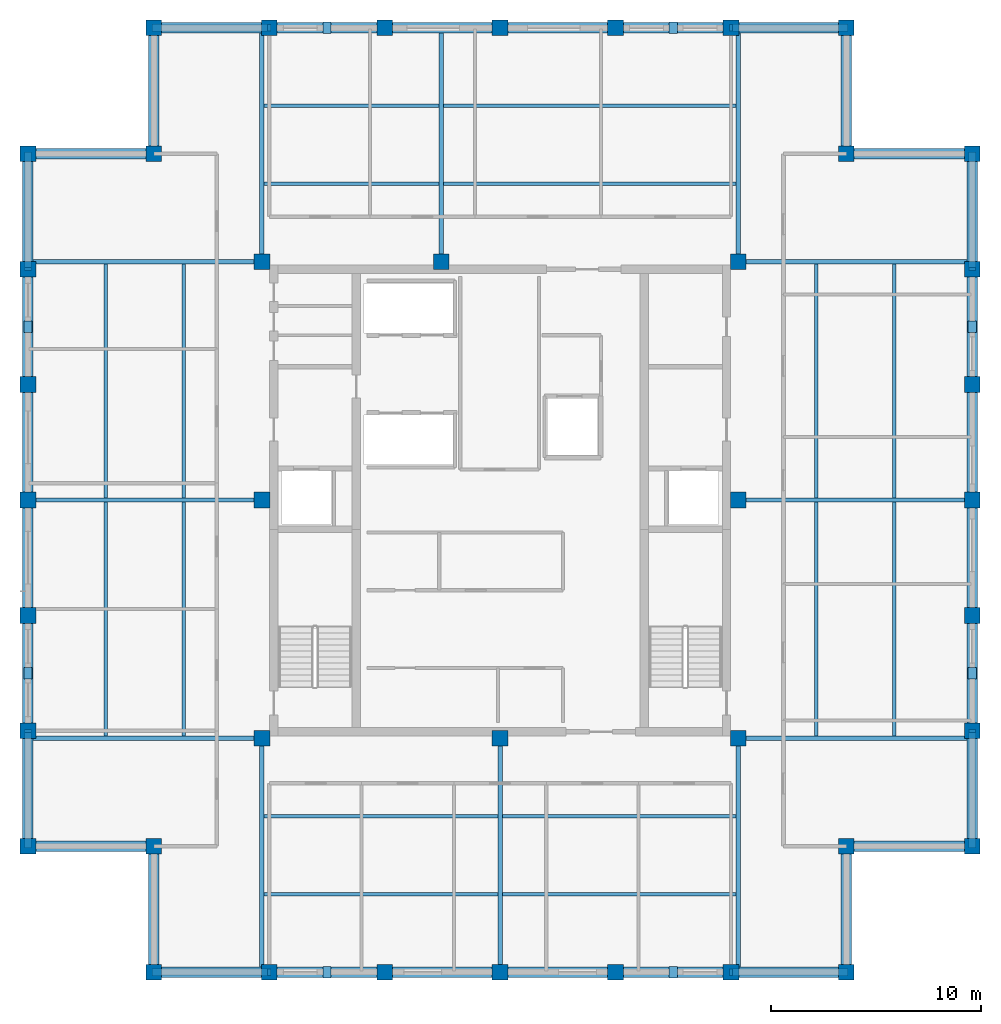
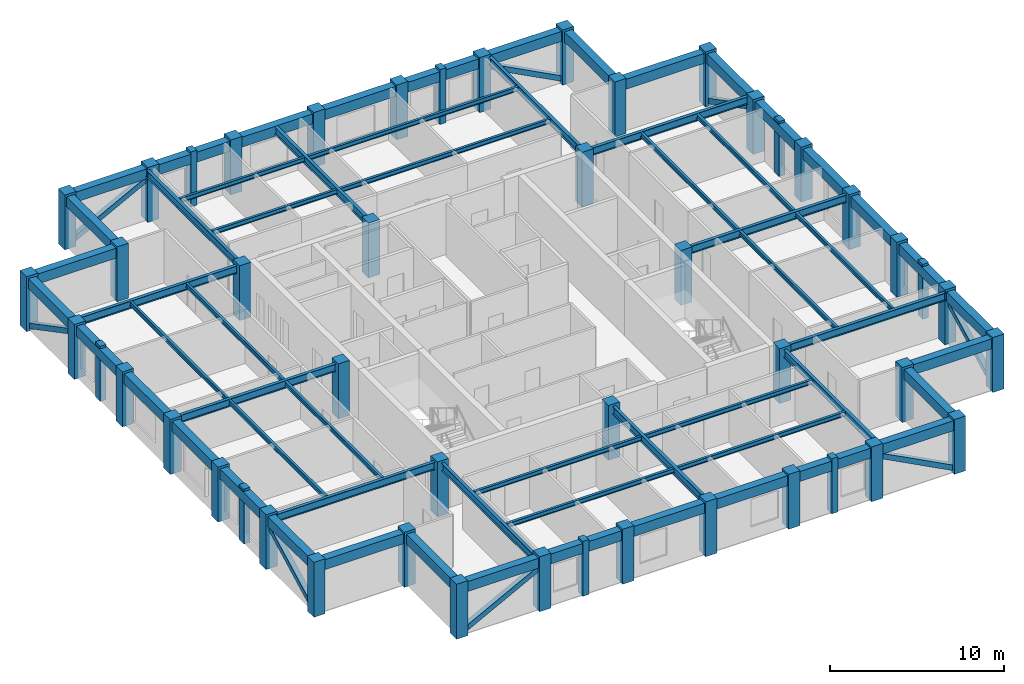
# One storey, part 1 of 8: 60 beams, 40 columns, 16 members.
"""IFC4 building model written with IfcOpenShell, lengths in metres."""

from ifc_helpers import new_model, si_unit, direction, frame, origin, origin_2d, place, context, subcontext, project, spatial, rectangle, hollow_rectangle, i_section, extrude, material, material_profile, profile_set, type_object, element, save


model = new_model("IFC4")

# Units and contexts
model_context = context("Model", 3, precision=1e-05, world=origin(), true_north=direction((0.0, 1.0)))
body_context = subcontext(model_context, "Body", "Model", "MODEL_VIEW")
ifc_project = project(units=[si_unit("LENGTHUNIT", "METRE"), si_unit("AREAUNIT", "SQUARE_METRE"), si_unit("VOLUMEUNIT", "CUBIC_METRE"), si_unit("PLANEANGLEUNIT", "RADIAN"), si_unit("MASSUNIT", "GRAM", prefix="KILO")], contexts=[model_context])

# Site, building, storey
site_placement = place(None, origin())
site = spatial("IfcSite", under=ifc_project, at=site_placement, CompositionType="ELEMENT")
building_placement = place(site_placement, origin())
building = spatial("IfcBuilding", under=site, at=building_placement, Name="Nhamokura Convention Tower", CompositionType="ELEMENT")
storey_placement = place(building_placement, frame((0.0, 0.0, 292.949951171875)))
storey = spatial("IfcBuildingStorey", under=building, at=storey_placement, Name="L72", CompositionType="ELEMENT", Elevation=292.949951171875)

# Columns
ifc_material_1 = material(Name="Concrete C50/60", Category="concrete")
ifc_material_profile_1 = material_profile(ifc_material_1, rectangle(XDim=0.75, YDim=0.75, at=origin_2d()))
ifc_profile_set_1 = profile_set([ifc_material_profile_1], Name="Concrete C50/60")
column_type = type_object("IfcColumnType", Name="TubeColumn_Z4_750", PredefinedType="COLUMN", material=ifc_profile_set_1)
for number, where, z_axis, x_axis, name in (
    (1, (20.64990234375, 20.64990234375, 0.0), (0.0, 0.0, 1.0), (1.0, 0.0, 0.0), "L72 Core Column CC-SW"),
    (2, (32.0, 20.64990234375, 0.0), (0.0, 0.0, 1.0), (1.0, 0.0, 0.0), "L72 Core Column CC-S"),
    (3, (43.35009765625, 20.64990234375, 0.0), (0.0, 0.0, 1.0), (1.0, 0.0, 0.0), "L72 Core Column CC-SE"),
    (4, (43.35009765625, 32.0, 0.0), (0.0, 0.0, 1.0), (1.0, 0.0, 0.0), "L72 Core Column CC-E"),
    (5, (43.35009765625, 43.35009765625, 0.0), (0.0, 0.0, 1.0), (1.0, 0.0, 0.0), "L72 Core Column CC-NE"),
    (6, (29.199951171875, 43.35009765625, 0.0), (0.0, 0.0, 1.0), (1.0, 0.0, 0.0), "L72 Core Column CC-N"),
    (7, (20.64990234375, 43.35009765625, 0.0), (0.0, 0.0, 1.0), (1.0, 0.0, 0.0), "L72 Core Column CC-NW"),
    (8, (20.64990234375, 32.0, 0.0), (0.0, 0.0, 1.0), (1.0, 0.0, 0.0), "L72 Core Column CC-W"),
    (9, (15.5, 9.5, 0.0), (0.0, 0.0, 1.0), (1.0, 0.0, 0.0), "L72 Perimeter Tube Column SW1"),
    (10, (15.5, 15.5, 0.0), (0.0, 0.0, 1.0), (1.0, 0.0, 0.0), "L72 Perimeter Tube Column SW0"),
    (11, (9.5, 15.5, 0.0), (0.0, 0.0, 1.0), (1.0, 0.0, 0.0), "L72 Perimeter Tube Column SW2"),
    (12, (48.5, 9.5, 0.0), (0.0, 0.0, 1.0), (1.0, 0.0, 0.0), "L72 Perimeter Tube Column SE1"),
    (13, (48.5, 15.5, 0.0), (0.0, 0.0, 1.0), (1.0, 0.0, 0.0), "L72 Perimeter Tube Column SE0"),
    (14, (54.5, 15.5, 0.0), (0.0, 0.0, 1.0), (1.0, 0.0, 0.0), "L72 Perimeter Tube Column SE2"),
    (15, (54.5, 48.5, 0.0), (0.0, 0.0, 1.0), (1.0, 0.0, 0.0), "L72 Perimeter Tube Column NE1"),
    (16, (48.5, 48.5, 0.0), (0.0, 0.0, 1.0), (1.0, 0.0, 0.0), "L72 Perimeter Tube Column NE0"),
    (17, (48.5, 54.5, 0.0), (0.0, 0.0, 1.0), (1.0, 0.0, 0.0), "L72 Perimeter Tube Column NE2"),
    (18, (15.5, 54.5, 0.0), (0.0, 0.0, 1.0), (1.0, 0.0, 0.0), "L72 Perimeter Tube Column NW1"),
    (19, (15.5, 48.5, 0.0), (0.0, 0.0, 1.0), (1.0, 0.0, 0.0), "L72 Perimeter Tube Column NW0"),
    (20, (9.5, 48.5, 0.0), (0.0, 0.0, 1.0), (1.0, 0.0, 0.0), "L72 Perimeter Tube Column NW2"),
    (21, (21.0, 9.5, 0.0), (0.0, 0.0, 1.0), (1.0, 0.0, 0.0), "L72 Perimeter Tube Column S1"),
    (22, (21.0, 54.5, 0.0), (0.0, 0.0, 1.0), (1.0, 0.0, 0.0), "L72 Perimeter Tube Column N1"),
    (23, (9.5, 21.0, 0.0), (0.0, 0.0, 1.0), (1.0, 0.0, 0.0), "L72 Perimeter Tube Column W1"),
    (24, (54.5, 21.0, 0.0), (0.0, 0.0, 1.0), (1.0, 0.0, 0.0), "L72 Perimeter Tube Column E1"),
    (25, (26.5, 9.5, 0.0), (0.0, 0.0, 1.0), (1.0, 0.0, 0.0), "L72 Perimeter Tube Column S2"),
    (26, (26.5, 54.5, 0.0), (0.0, 0.0, 1.0), (1.0, 0.0, 0.0), "L72 Perimeter Tube Column N2"),
    (27, (9.5, 26.5, 0.0), (0.0, 0.0, 1.0), (1.0, 0.0, 0.0), "L72 Perimeter Tube Column W2"),
    (28, (54.5, 26.5, 0.0), (0.0, 0.0, 1.0), (1.0, 0.0, 0.0), "L72 Perimeter Tube Column E2"),
    (29, (32.0, 9.5, 0.0), (0.0, 0.0, 1.0), (1.0, 0.0, 0.0), "L72 Perimeter Tube Column S3"),
    (30, (32.0, 54.5, 0.0), (0.0, 0.0, 1.0), (1.0, 0.0, 0.0), "L72 Perimeter Tube Column N3"),
    (31, (9.5, 32.0, 0.0), (0.0, 0.0, 1.0), (1.0, 0.0, 0.0), "L72 Perimeter Tube Column W3"),
    (32, (54.5, 32.0, 0.0), (0.0, 0.0, 1.0), (1.0, 0.0, 0.0), "L72 Perimeter Tube Column E3"),
    (33, (37.5, 9.5, 0.0), (0.0, 0.0, 1.0), (1.0, 0.0, 0.0), "L72 Perimeter Tube Column S4"),
    (34, (37.5, 54.5, 0.0), (0.0, 0.0, 1.0), (1.0, 0.0, 0.0), "L72 Perimeter Tube Column N4"),
    (35, (9.5, 37.5, 0.0), (0.0, 0.0, 1.0), (1.0, 0.0, 0.0), "L72 Perimeter Tube Column W4"),
    (36, (54.5, 37.5, 0.0), (0.0, 0.0, 1.0), (1.0, 0.0, 0.0), "L72 Perimeter Tube Column E4"),
    (37, (43.0, 9.5, 0.0), (0.0, 0.0, 1.0), (1.0, 0.0, 0.0), "L72 Perimeter Tube Column S5"),
    (38, (43.0, 54.5, 0.0), (0.0, 0.0, 1.0), (1.0, 0.0, 0.0), "L72 Perimeter Tube Column N5"),
    (39, (9.5, 43.0, 0.0), (0.0, 0.0, 1.0), (1.0, 0.0, 0.0), "L72 Perimeter Tube Column W5"),
    (40, (54.5, 43.0, 0.0), (0.0, 0.0, 1.0), (1.0, 0.0, 0.0), "L72 Perimeter Tube Column E5"),
):
    element("IfcColumn", number, at=place(storey_placement, frame(where, z_axis=z_axis, x_axis=x_axis)), inside=storey, type_object=column_type, Name=name, PredefinedType="COLUMN", context=body_context, shape_type="SweptSolid", body=[
        extrude(rectangle(XDim=0.75, YDim=0.75, at=origin_2d()), origin(), (0.0, 0.0, 1.0), 3.85009765625),
    ])

# Members
ifc_material_2 = material(Name="Bronze-pigmented precast concrete C45/55", Category="concrete")
ifc_material_profile_2 = material_profile(ifc_material_2, rectangle(XDim=0.39990234375, YDim=0.550048828125, at=origin_2d()))
ifc_profile_set_2 = profile_set([ifc_material_profile_2], Name="Bronze-pigmented precast concrete C45/55")
member_type_1 = type_object("IfcMemberType", Name="BronzePilaster_550", PredefinedType="USERDEFINED", material=ifc_profile_set_2)
for number, where, z_axis, x_axis, name in (
    (41, (23.75, 9.5, 0.0), (0.0, 0.0, 1.0), (1.0, 0.0, 0.0), "L72 Engaged Frame Pilaster SOUTH 1"),
    (42, (40.25, 9.5, 0.0), (0.0, 0.0, 1.0), (1.0, 0.0, 0.0), "L72 Engaged Frame Pilaster SOUTH 4"),
    (43, (23.75, 54.5, 0.0), (0.0, 0.0, 1.0), (1.0, 0.0, 0.0), "L72 Engaged Frame Pilaster NORTH 1"),
    (44, (40.25, 54.5, 0.0), (0.0, 0.0, 1.0), (1.0, 0.0, 0.0), "L72 Engaged Frame Pilaster NORTH 4"),
    (45, (9.5, 23.75, 0.0), (0.0, 0.0, 1.0), (1.0, 0.0, 0.0), "L72 Engaged Frame Pilaster WEST 1"),
    (46, (9.5, 40.25, 0.0), (0.0, 0.0, 1.0), (1.0, 0.0, 0.0), "L72 Engaged Frame Pilaster WEST 4"),
    (47, (54.5, 23.75, 0.0), (0.0, 0.0, 1.0), (1.0, 0.0, 0.0), "L72 Engaged Frame Pilaster EAST 1"),
    (48, (54.5, 40.25, 0.0), (0.0, 0.0, 1.0), (1.0, 0.0, 0.0), "L72 Engaged Frame Pilaster EAST 4"),
):
    element("IfcMember", number, at=place(storey_placement, frame(where, z_axis=z_axis, x_axis=x_axis)), inside=storey, type_object=member_type_1, Name=name, ObjectType="PILASTER_TRIM", PredefinedType="USERDEFINED", context=body_context, shape_type="SweptSolid", body=[
        extrude(rectangle(XDim=0.39990234375, YDim=0.550048828125, at=origin_2d()), origin(), (0.0, 0.0, 1.0), 3.85009765625),
    ])

# Beams
ifc_material_3 = material(Name="Steel ASTM A992 Gr 50", Category="steel")
ifc_material_profile_3 = material_profile(ifc_material_3, i_section(OverallWidth=0.166015625, OverallDepth=0.31298828125, WebThickness=0.006591796875, FlangeThickness=0.01123046875, at=origin_2d()))
ifc_profile_set_3 = profile_set([ifc_material_profile_3], Name="Steel ASTM A992 Gr 50")
beam_type_1 = type_object("IfcBeamType", Name="FloorJoist_W310X45", PredefinedType="JOIST", material=ifc_profile_set_3)
for number, where, z_axis, x_axis, name in (
    (49, (20.75244140625, 13.216796875, 3.528564453125), (1.0, 0.0, 0.0), (0.0, 1.0, 0.0), "L72 Composite Floor Joist S1A"),
    (50, (32.1025390625, 13.216796875, 3.528564453125), (1.0, 0.0, 0.0), (0.0, 1.0, 0.0), "L72 Composite Floor Joist S1B"),
    (51, (20.75244140625, 16.933349609375, 3.528564453125), (1.0, 0.0, 0.0), (0.0, 1.0, 0.0), "L72 Composite Floor Joist S2A"),
    (52, (32.1025390625, 16.933349609375, 3.528564453125), (1.0, 0.0, 0.0), (0.0, 1.0, 0.0), "L72 Composite Floor Joist S2B"),
):
    element("IfcBeam", number, at=place(storey_placement, frame(where, z_axis=z_axis, x_axis=x_axis)), inside=storey, type_object=beam_type_1, Name=name, PredefinedType="JOIST", context=body_context, shape_type="SweptSolid", body=[
        extrude(i_section(OverallWidth=0.166015625, OverallDepth=0.31298828125, WebThickness=0.006591796875, FlangeThickness=0.01123046875, at=origin_2d()), origin(), (0.0, 0.0, 1.0), 11.14501953125),
    ])
beam_1_placement = place(storey_placement, frame((20.75244140625, 47.066650390625, 3.528564453125), z_axis=(1.0, 0.0, 0.0), x_axis=(0.0, 1.0, 0.0)))
element("IfcBeam", 53, at=beam_1_placement, inside=storey, type_object=beam_type_1, Name="L72 Composite Floor Joist N1A", PredefinedType="JOIST", context=body_context, shape_type="SweptSolid", body=[
    extrude(i_section(OverallWidth=0.166015625, OverallDepth=0.31298828125, WebThickness=0.006591796875, FlangeThickness=0.01123046875, at=origin_2d()), origin(), (0.0, 0.0, 1.0), 8.344970703125),
])
beam_2_placement = place(storey_placement, frame((29.302490234375, 47.066650390625, 3.528564453125), z_axis=(1.0, 0.0, 0.0), x_axis=(0.0, 1.0, 0.0)))
element("IfcBeam", 54, at=beam_2_placement, inside=storey, type_object=beam_type_1, Name="L72 Composite Floor Joist N1B", PredefinedType="JOIST", context=body_context, shape_type="SweptSolid", body=[
    extrude(i_section(OverallWidth=0.166015625, OverallDepth=0.31298828125, WebThickness=0.006591796875, FlangeThickness=0.01123046875, at=origin_2d()), origin(), (0.0, 0.0, 1.0), 13.945068359375),
])
beam_3_placement = place(storey_placement, frame((20.75244140625, 50.783203125, 3.528564453125), z_axis=(1.0, 0.0, 0.0), x_axis=(0.0, 1.0, 0.0)))
element("IfcBeam", 55, at=beam_3_placement, inside=storey, type_object=beam_type_1, Name="L72 Composite Floor Joist N2A", PredefinedType="JOIST", context=body_context, shape_type="SweptSolid", body=[
    extrude(i_section(OverallWidth=0.166015625, OverallDepth=0.31298828125, WebThickness=0.006591796875, FlangeThickness=0.01123046875, at=origin_2d()), origin(), (0.0, 0.0, 1.0), 8.344970703125),
])
beam_4_placement = place(storey_placement, frame((29.302490234375, 50.783203125, 3.528564453125), z_axis=(1.0, 0.0, 0.0), x_axis=(0.0, 1.0, 0.0)))
element("IfcBeam", 56, at=beam_4_placement, inside=storey, type_object=beam_type_1, Name="L72 Composite Floor Joist N2B", PredefinedType="JOIST", context=body_context, shape_type="SweptSolid", body=[
    extrude(i_section(OverallWidth=0.166015625, OverallDepth=0.31298828125, WebThickness=0.006591796875, FlangeThickness=0.01123046875, at=origin_2d()), origin(), (0.0, 0.0, 1.0), 13.945068359375),
])
for number, where, z_axis, x_axis, name in (
    (57, (13.216796875, 20.75244140625, 3.528564453125), (0.0, 1.0, 0.0), (-1.0, 0.0, 0.0), "L72 Composite Floor Joist W1A"),
    (58, (13.216796875, 32.1025390625, 3.528564453125), (0.0, 1.0, 0.0), (-1.0, 0.0, 0.0), "L72 Composite Floor Joist W1B"),
    (59, (16.933349609375, 20.75244140625, 3.528564453125), (0.0, 1.0, 0.0), (-1.0, 0.0, 0.0), "L72 Composite Floor Joist W2A"),
    (60, (16.933349609375, 32.1025390625, 3.528564453125), (0.0, 1.0, 0.0), (-1.0, 0.0, 0.0), "L72 Composite Floor Joist W2B"),
    (61, (47.066650390625, 20.75244140625, 3.528564453125), (0.0, 1.0, 0.0), (-1.0, 0.0, 0.0), "L72 Composite Floor Joist E1A"),
    (62, (47.066650390625, 32.1025390625, 3.528564453125), (0.0, 1.0, 0.0), (-1.0, 0.0, 0.0), "L72 Composite Floor Joist E1B"),
    (63, (50.783203125, 20.75244140625, 3.528564453125), (0.0, 1.0, 0.0), (-1.0, 0.0, 0.0), "L72 Composite Floor Joist E2A"),
    (64, (50.783203125, 32.1025390625, 3.528564453125), (0.0, 1.0, 0.0), (-1.0, 0.0, 0.0), "L72 Composite Floor Joist E2B"),
):
    element("IfcBeam", number, at=place(storey_placement, frame(where, z_axis=z_axis, x_axis=x_axis)), inside=storey, type_object=beam_type_1, Name=name, PredefinedType="JOIST", context=body_context, shape_type="SweptSolid", body=[
        extrude(i_section(OverallWidth=0.166015625, OverallDepth=0.31298828125, WebThickness=0.006591796875, FlangeThickness=0.01123046875, at=origin_2d()), origin(), (0.0, 0.0, 1.0), 11.14501953125),
    ])
ifc_material_4 = material(Name="Steel ASTM A992 Gr 50", Category="steel")
ifc_material_profile_4 = material_profile(ifc_material_4, i_section(OverallWidth=0.208984375, OverallDepth=0.532958984375, WebThickness=0.01025390625, FlangeThickness=0.015625, at=origin_2d()))
ifc_profile_set_4 = profile_set([ifc_material_profile_4], Name="Steel ASTM A992 Gr 50")
beam_type_2 = type_object("IfcBeamType", Name="PrimaryGirder_W530X92", PredefinedType="BEAM", material=ifc_profile_set_4)
for number, where, z_axis, x_axis, name in (
    (65, (20.64990234375, 9.5, 3.41845703125), (0.0, 1.0, 0.0), (-1.0, 0.0, 0.0), "L72 Primary Floor Girder PG-S1"),
    (66, (32.0, 9.5, 3.41845703125), (0.0, 1.0, 0.0), (-1.0, 0.0, 0.0), "L72 Primary Floor Girder PG-S2"),
    (67, (43.35009765625, 9.5, 3.41845703125), (0.0, 1.0, 0.0), (-1.0, 0.0, 0.0), "L72 Primary Floor Girder PG-S3"),
    (68, (20.64990234375, 43.35009765625, 3.41845703125), (0.0, 1.0, 0.0), (-1.0, 0.0, 0.0), "L72 Primary Floor Girder PG-N1"),
    (69, (29.199951171875, 43.35009765625, 3.41845703125), (0.0, 1.0, 0.0), (-1.0, 0.0, 0.0), "L72 Primary Floor Girder PG-N2"),
    (70, (43.35009765625, 43.35009765625, 3.41845703125), (0.0, 1.0, 0.0), (-1.0, 0.0, 0.0), "L72 Primary Floor Girder PG-N3"),
    (71, (9.5, 20.64990234375, 3.41845703125), (1.0, 0.0, 0.0), (0.0, 1.0, 0.0), "L72 Primary Floor Girder PG-W1"),
    (72, (9.5, 32.0, 3.41845703125), (1.0, 0.0, 0.0), (0.0, 1.0, 0.0), "L72 Primary Floor Girder PG-W2"),
    (73, (9.5, 43.35009765625, 3.41845703125), (1.0, 0.0, 0.0), (0.0, 1.0, 0.0), "L72 Primary Floor Girder PG-W3"),
    (74, (43.35009765625, 20.64990234375, 3.41845703125), (1.0, 0.0, 0.0), (0.0, 1.0, 0.0), "L72 Primary Floor Girder PG-E1"),
    (75, (43.35009765625, 32.0, 3.41845703125), (1.0, 0.0, 0.0), (0.0, 1.0, 0.0), "L72 Primary Floor Girder PG-E2"),
    (76, (43.35009765625, 43.35009765625, 3.41845703125), (1.0, 0.0, 0.0), (0.0, 1.0, 0.0), "L72 Primary Floor Girder PG-E3"),
):
    element("IfcBeam", number, at=place(storey_placement, frame(where, z_axis=z_axis, x_axis=x_axis)), inside=storey, type_object=beam_type_2, Name=name, PredefinedType="BEAM", context=body_context, shape_type="SweptSolid", body=[
        extrude(i_section(OverallWidth=0.208984375, OverallDepth=0.532958984375, WebThickness=0.01025390625, FlangeThickness=0.015625, at=origin_2d()), origin(), (0.0, 0.0, 1.0), 11.14990234375),
    ])

# Members
ifc_material_5 = material(Name="Steel ASTM A572 Gr 50", Category="steel")
ifc_material_profile_5 = material_profile(ifc_material_5, hollow_rectangle(XDim=0.35009765625, YDim=0.35009765625, WallThickness=0.01611328125, at=origin_2d()))
ifc_profile_set_5 = profile_set([ifc_material_profile_5], Name="Steel ASTM A572 Gr 50")
member_type_2 = type_object("IfcMemberType", Name="TubeBrace_HSS350", PredefinedType="BRACE", material=ifc_profile_set_5)
for number, where, z_axis, x_axis, name in (
    (77, (15.5, 9.5, 0.150146484375), (0.885562865764, 0.0, 0.464519548328), (0.0, 1.0, 0.0), "L72 Perimeter Tube Brace SOUTH Bay 0"),
    (78, (48.5, 9.5, 0.150146484375), (-0.885562865764, 0.0, 0.464519548328), (0.0, -1.0, 0.0), "L72 Perimeter Tube Brace SOUTH Bay 5"),
    (79, (15.5, 54.5, 0.150146484375), (0.885562865764, 0.0, 0.464519548328), (0.0, 1.0, 0.0), "L72 Perimeter Tube Brace NORTH Bay 0"),
    (80, (48.5, 54.5, 0.150146484375), (-0.885562865764, 0.0, 0.464519548328), (0.0, -1.0, 0.0), "L72 Perimeter Tube Brace NORTH Bay 5"),
    (81, (9.5, 15.5, 0.150146484375), (0.0, 0.885562865764, 0.464519548328), (-1.0, 0.0, 0.0), "L72 Perimeter Tube Brace WEST Bay 0"),
    (82, (9.5, 48.5, 0.150146484375), (0.0, -0.885562865764, 0.464519548328), (1.0, 0.0, 0.0), "L72 Perimeter Tube Brace WEST Bay 5"),
    (83, (54.5, 15.5, 0.150146484375), (0.0, 0.885562865764, 0.464519548328), (-1.0, 0.0, 0.0), "L72 Perimeter Tube Brace EAST Bay 0"),
    (84, (54.5, 48.5, 0.150146484375), (0.0, -0.885562865764, 0.464519548328), (1.0, 0.0, 0.0), "L72 Perimeter Tube Brace EAST Bay 5"),
):
    element("IfcMember", number, at=place(storey_placement, frame(where, z_axis=z_axis, x_axis=x_axis)), inside=storey, type_object=member_type_2, Name=name, PredefinedType="BRACE", context=body_context, shape_type="SweptSolid", body=[
        extrude(hollow_rectangle(XDim=0.35009765625, YDim=0.35009765625, WallThickness=0.01611328125, at=origin_2d()), origin(), (0.0, 0.0, 1.0), 6.210693359375),
    ])

# Beams
ifc_material_6 = material(Name="Concrete C50/60", Category="concrete")
ifc_material_profile_6 = material_profile(ifc_material_6, rectangle(XDim=0.5, YDim=0.699951171875, at=origin_2d()))
ifc_profile_set_6 = profile_set([ifc_material_profile_6], Name="Concrete C50/60")
beam_type_3 = type_object("IfcBeamType", Name="TubeSpandrel_700", PredefinedType="SPANDREL", material=ifc_profile_set_6)
for number, where, z_axis, x_axis, name in (
    (85, (15.5, 9.5, 3.3349609375), (1.0, 0.0, 0.0), (0.0, 1.0, 0.0), "L72 Perimeter Spandrel SOUTH 1"),
    (86, (21.0, 9.5, 3.3349609375), (1.0, 0.0, 0.0), (0.0, 1.0, 0.0), "L72 Perimeter Spandrel SOUTH 2"),
    (87, (26.5, 9.5, 3.3349609375), (1.0, 0.0, 0.0), (0.0, 1.0, 0.0), "L72 Perimeter Spandrel SOUTH 3"),
    (88, (32.0, 9.5, 3.3349609375), (1.0, 0.0, 0.0), (0.0, 1.0, 0.0), "L72 Perimeter Spandrel SOUTH 4"),
    (89, (37.5, 9.5, 3.3349609375), (1.0, 0.0, 0.0), (0.0, 1.0, 0.0), "L72 Perimeter Spandrel SOUTH 5"),
    (90, (43.0, 9.5, 3.3349609375), (1.0, 0.0, 0.0), (0.0, 1.0, 0.0), "L72 Perimeter Spandrel SOUTH 6"),
    (91, (15.5, 54.5, 3.3349609375), (1.0, 0.0, 0.0), (0.0, 1.0, 0.0), "L72 Perimeter Spandrel NORTH 1"),
    (92, (21.0, 54.5, 3.3349609375), (1.0, 0.0, 0.0), (0.0, 1.0, 0.0), "L72 Perimeter Spandrel NORTH 2"),
    (93, (26.5, 54.5, 3.3349609375), (1.0, 0.0, 0.0), (0.0, 1.0, 0.0), "L72 Perimeter Spandrel NORTH 3"),
    (94, (32.0, 54.5, 3.3349609375), (1.0, 0.0, 0.0), (0.0, 1.0, 0.0), "L72 Perimeter Spandrel NORTH 4"),
    (95, (37.5, 54.5, 3.3349609375), (1.0, 0.0, 0.0), (0.0, 1.0, 0.0), "L72 Perimeter Spandrel NORTH 5"),
    (96, (43.0, 54.5, 3.3349609375), (1.0, 0.0, 0.0), (0.0, 1.0, 0.0), "L72 Perimeter Spandrel NORTH 6"),
    (97, (9.5, 15.5, 3.3349609375), (0.0, 1.0, 0.0), (-1.0, 0.0, 0.0), "L72 Perimeter Spandrel WEST 1"),
    (98, (9.5, 21.0, 3.3349609375), (0.0, 1.0, 0.0), (-1.0, 0.0, 0.0), "L72 Perimeter Spandrel WEST 2"),
    (99, (9.5, 26.5, 3.3349609375), (0.0, 1.0, 0.0), (-1.0, 0.0, 0.0), "L72 Perimeter Spandrel WEST 3"),
    (100, (9.5, 32.0, 3.3349609375), (0.0, 1.0, 0.0), (-1.0, 0.0, 0.0), "L72 Perimeter Spandrel WEST 4"),
    (101, (9.5, 37.5, 3.3349609375), (0.0, 1.0, 0.0), (-1.0, 0.0, 0.0), "L72 Perimeter Spandrel WEST 5"),
    (102, (9.5, 43.0, 3.3349609375), (0.0, 1.0, 0.0), (-1.0, 0.0, 0.0), "L72 Perimeter Spandrel WEST 6"),
    (103, (54.5, 15.5, 3.3349609375), (0.0, 1.0, 0.0), (-1.0, 0.0, 0.0), "L72 Perimeter Spandrel EAST 1"),
    (104, (54.5, 21.0, 3.3349609375), (0.0, 1.0, 0.0), (-1.0, 0.0, 0.0), "L72 Perimeter Spandrel EAST 2"),
    (105, (54.5, 26.5, 3.3349609375), (0.0, 1.0, 0.0), (-1.0, 0.0, 0.0), "L72 Perimeter Spandrel EAST 3"),
    (106, (54.5, 32.0, 3.3349609375), (0.0, 1.0, 0.0), (-1.0, 0.0, 0.0), "L72 Perimeter Spandrel EAST 4"),
    (107, (54.5, 37.5, 3.3349609375), (0.0, 1.0, 0.0), (-1.0, 0.0, 0.0), "L72 Perimeter Spandrel EAST 5"),
    (108, (54.5, 43.0, 3.3349609375), (0.0, 1.0, 0.0), (-1.0, 0.0, 0.0), "L72 Perimeter Spandrel EAST 6"),
):
    element("IfcBeam", number, at=place(storey_placement, frame(where, z_axis=z_axis, x_axis=x_axis)), inside=storey, type_object=beam_type_3, Name=name, PredefinedType="SPANDREL", context=body_context, shape_type="SweptSolid", body=[
        extrude(rectangle(XDim=0.5, YDim=0.699951171875, at=origin_2d()), origin(), (0.0, 0.0, 1.0), 5.5),
    ])
for number, where, z_axis, x_axis, name in (
    (109, (15.5, 9.5, 3.3349609375), (0.0, 1.0, 0.0), (-1.0, 0.0, 0.0), "L72 Notch Spandrel SW1"),
    (110, (15.5, 15.5, 3.3349609375), (-1.0, 0.0, 0.0), (0.0, -1.0, 0.0), "L72 Notch Spandrel SW2"),
    (111, (48.5, 9.5, 3.3349609375), (0.0, 1.0, 0.0), (-1.0, 0.0, 0.0), "L72 Notch Spandrel SE1"),
    (112, (48.5, 15.5, 3.3349609375), (1.0, 0.0, 0.0), (0.0, 1.0, 0.0), "L72 Notch Spandrel SE2"),
    (113, (54.5, 48.5, 3.3349609375), (-1.0, 0.0, 0.0), (0.0, -1.0, 0.0), "L72 Notch Spandrel NE1"),
    (114, (48.5, 48.5, 3.3349609375), (0.0, 1.0, 0.0), (-1.0, 0.0, 0.0), "L72 Notch Spandrel NE2"),
    (115, (15.5, 54.5, 3.3349609375), (0.0, -1.0, 0.0), (1.0, 0.0, 0.0), "L72 Notch Spandrel NW1"),
    (116, (15.5, 48.5, 3.3349609375), (-1.0, 0.0, 0.0), (0.0, -1.0, 0.0), "L72 Notch Spandrel NW2"),
):
    element("IfcBeam", number, at=place(storey_placement, frame(where, z_axis=z_axis, x_axis=x_axis)), inside=storey, type_object=beam_type_3, Name=name, PredefinedType="SPANDREL", context=body_context, shape_type="SweptSolid", body=[
        extrude(rectangle(XDim=0.5, YDim=0.699951171875, at=origin_2d()), origin(), (0.0, 0.0, 1.0), 6.0),
    ])

save(model, "model.ifc")
